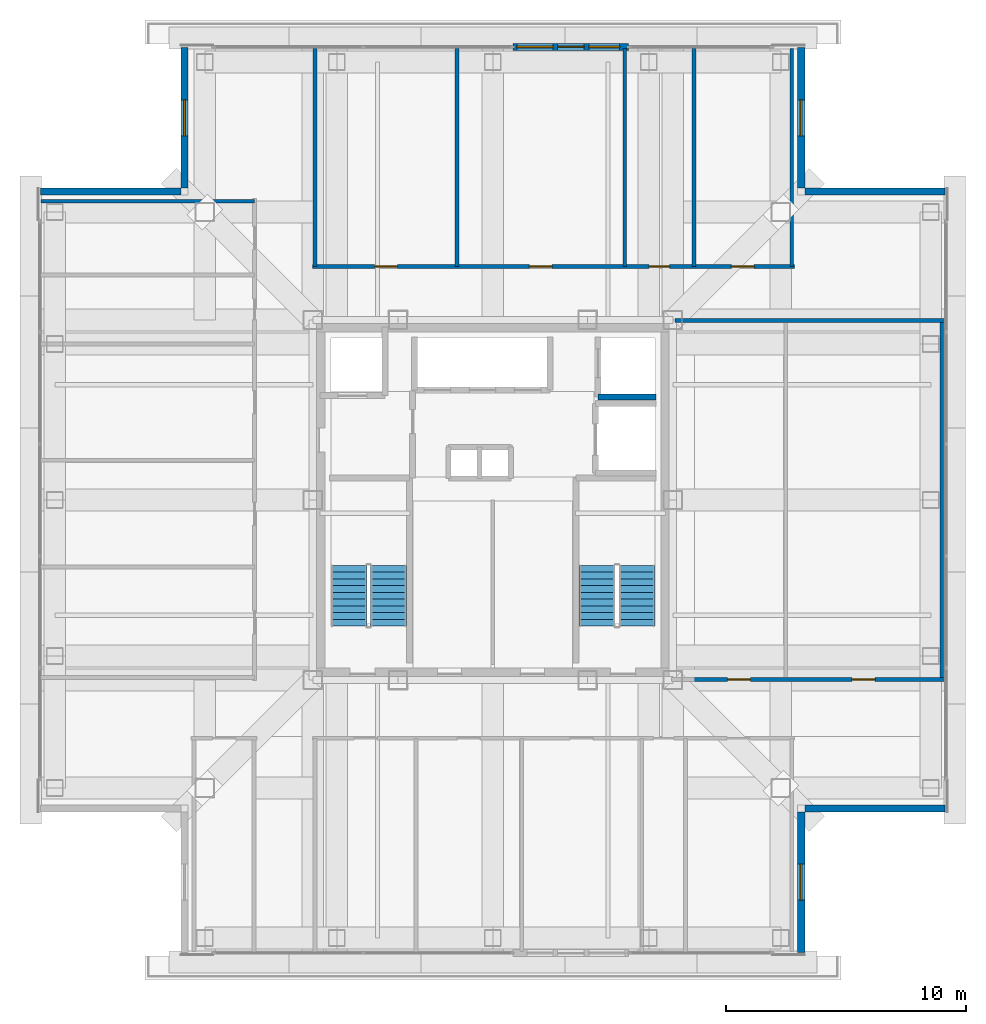
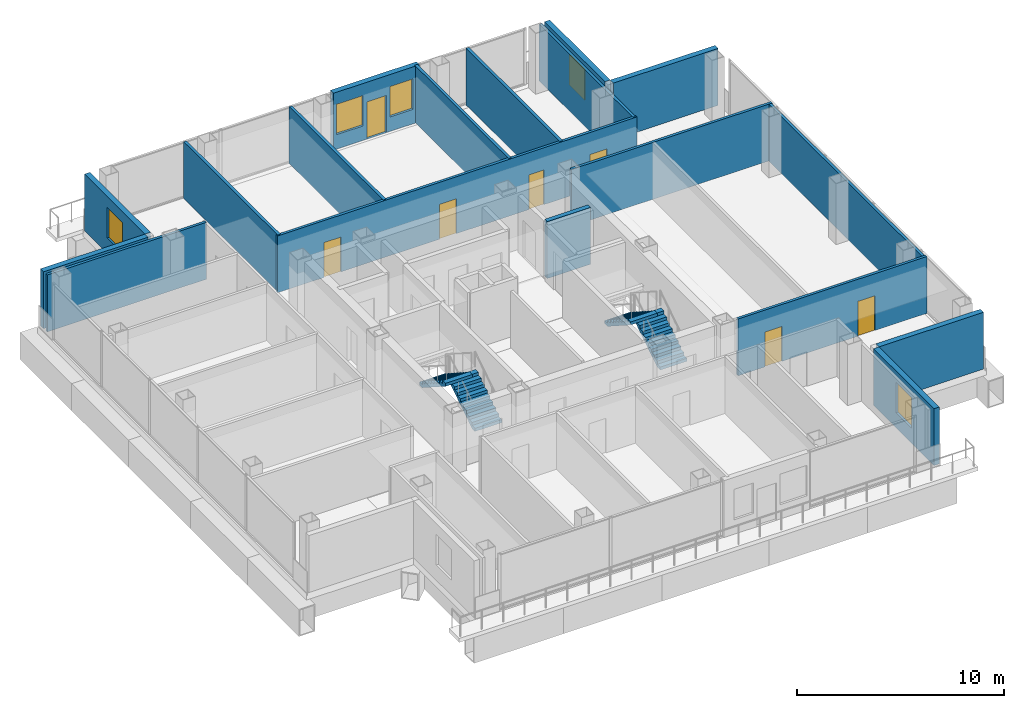
# One storey, part 9 of 15: 18 walls, 7 doors, 5 windows, 4 stair flights, 12 openings, 2 elements without a shape of their own.
"""IFC4 building model written with IfcOpenShell, lengths in metres."""

from ifc_helpers import new_model, si_unit, direction, frame, frame_2d, origin, place, context, subcontext, project, spatial, polyline, rectangle, outline, extrude, material, layer, layer_set, type_object, element, fill, aggregate, save


model = new_model("IFC4")

# Units and contexts
model_context = context("Model", 3, precision=1e-05, world=origin(), true_north=direction((0.0, 1.0)))
body_context = subcontext(model_context, "Body", "Model", "MODEL_VIEW")
ifc_project = project(units=[si_unit("LENGTHUNIT", "METRE"), si_unit("AREAUNIT", "SQUARE_METRE"), si_unit("VOLUMEUNIT", "CUBIC_METRE"), si_unit("PLANEANGLEUNIT", "RADIAN"), si_unit("MASSUNIT", "GRAM", prefix="KILO")], contexts=[model_context])

# Site, building, storey
site_placement = place(None, origin())
site = spatial("IfcSite", under=ifc_project, at=site_placement, CompositionType="ELEMENT")
building_placement = place(site_placement, origin())
building = spatial("IfcBuilding", under=site, at=building_placement, Name="Trevonay Congress Spire", CompositionType="ELEMENT")
storey_placement = place(building_placement, frame((0.0, 0.0, 232.39990234375)))
storey = spatial("IfcBuildingStorey", under=building, at=storey_placement, Name="L60", CompositionType="ELEMENT", Elevation=232.39990234375)

# Wall, openings, doors
ifc_material_1 = material(Name="Concrete C40/50", Category="concrete")
ifc_layer_1 = layer(ifc_material_1, 0.14990234375, Name="Concrete C40/50")
ifc_layer_set_1 = layer_set([ifc_layer_1], Name="Concrete C40/50")
wall_type_1 = type_object("IfcWallType", Name="WAL-CORR-150", PredefinedType="PARTITIONING", material=ifc_layer_set_1)
wall_1_placement = place(storey_placement, frame((-7.52001953125, 9.72998046875, 0.0), z_axis=(0.0, 0.0, 1.0), x_axis=(1.0, 0.0, 0.0)))
wall_1 = element("IfcWall", 1, at=wall_1_placement, inside=storey, type_object=wall_type_1, Name="L60 interior wall WP-L60N-COR", PredefinedType="PARTITIONING", context=body_context, shape_type="SweptSolid", body=[
    extrude(rectangle(XDim=20.090087890625, YDim=0.14990234375, at=frame_2d((10.044921875, 0.0))), origin(), (0.0, 0.0, 1.0), 3.360107421875),
])
opening_1_placement = place(wall_1_placement, frame((2.594970703125, 0.0, 0.0)))
opening_1 = element("IfcOpeningElement", 2, at=opening_1_placement, cuts=wall_1, Name="Opening D07", PredefinedType="OPENING", context=body_context, shape_type="SweptSolid", body=[
    extrude(rectangle(XDim=0.949951171875, YDim=2.06005859375, at=frame_2d((0.47509765625, 1.030029296875))), frame((0.0, 0.0849609375, 0.0), z_axis=(0.0, -1.0, 0.0), x_axis=(1.0, 0.0, 0.0)), (0.0, 0.0, 1.0), 0.169921875),
])
opening_2_placement = place(wall_1_placement, frame((9.044921875, 0.0, 0.0)))
opening_2 = element("IfcOpeningElement", 3, at=opening_2_placement, cuts=wall_1, Name="Opening D07", PredefinedType="OPENING", context=body_context, shape_type="SweptSolid", body=[
    extrude(rectangle(XDim=0.949951171875, YDim=2.06005859375, at=frame_2d((0.47509765625, 1.030029296875))), frame((0.0, 0.0849609375, 0.0), z_axis=(0.0, -1.0, 0.0), x_axis=(1.0, 0.0, 0.0)), (0.0, 0.0, 1.0), 0.169921875),
])
opening_3_placement = place(wall_1_placement, frame((14.034912109375, 0.0, 0.0)))
opening_3 = element("IfcOpeningElement", 4, at=opening_3_placement, cuts=wall_1, Name="Opening D10", PredefinedType="OPENING", context=body_context, shape_type="SweptSolid", body=[
    extrude(rectangle(XDim=0.85009765625, YDim=2.050048828125, at=frame_2d((0.425048828125, 1.02490234375))), frame((0.0, 0.0849609375, 0.0), z_axis=(0.0, -1.0, 0.0), x_axis=(1.0, 0.0, 0.0)), (0.0, 0.0, 1.0), 0.169921875),
])
opening_4_placement = place(wall_1_placement, frame((17.4599609375, 0.0, 0.0)))
opening_4 = element("IfcOpeningElement", 5, at=opening_4_placement, cuts=wall_1, Name="Opening D07", PredefinedType="OPENING", context=body_context, shape_type="SweptSolid", body=[
    extrude(rectangle(XDim=0.949951171875, YDim=2.06005859375, at=frame_2d((0.47509765625, 1.030029296875))), frame((0.0, 0.0849609375, 0.0), z_axis=(0.0, -1.0, 0.0), x_axis=(1.0, 0.0, 0.0)), (0.0, 0.0, 1.0), 0.169921875),
])
ifc_material_2 = material(Name="Pale Anodised Aluminium EN AW-6063-T6", Category="aluminium")
door_type_1 = type_object("IfcDoorType", Name="DOR-OFFICE-95", OperationType="NOTDEFINED", PredefinedType="DOOR", material=ifc_material_2)
door_1_placement = place(opening_1_placement, origin())
door_1 = element("IfcDoor", 6, at=door_1_placement, inside=storey, type_object=door_type_1, Name="L60 Defense Attache Office Door", OperationType="SINGLE_SWING_LEFT", OverallHeight=2.06005859375, OverallWidth=0.949951171875, PredefinedType="DOOR", context=body_context, shape_type="SweptSolid", body=[
    extrude(rectangle(XDim=0.949951171875, YDim=2.06005859375, at=frame_2d((0.47509765625, 1.030029296875))), frame((0.0, 0.02490234375, 0.0), z_axis=(0.0, -1.0, 0.0), x_axis=(1.0, 0.0, 0.0)), (0.0, 0.0, 1.0), 0.050048828125),
])
fill(opening_1, door_1)
door_2_placement = place(opening_2_placement, origin())
door_2 = element("IfcDoor", 7, at=door_2_placement, inside=storey, type_object=door_type_1, Name="L60 Trade Attache Office Door", OperationType="SINGLE_SWING_RIGHT", OverallHeight=2.06005859375, OverallWidth=0.949951171875, PredefinedType="DOOR", context=body_context, shape_type="SweptSolid", body=[
    extrude(rectangle(XDim=0.949951171875, YDim=2.06005859375, at=frame_2d((0.47509765625, 1.030029296875))), frame((0.0, 0.02490234375, 0.0), z_axis=(0.0, -1.0, 0.0), x_axis=(1.0, 0.0, 0.0)), (0.0, 0.0, 1.0), 0.050048828125),
])
fill(opening_2, door_2)
door_3_placement = place(opening_4_placement, origin())
door_3 = element("IfcDoor", 8, at=door_3_placement, inside=storey, type_object=door_type_1, Name="L60 Floor Supplies and Copy Room Door", OperationType="SINGLE_SWING_RIGHT", OverallHeight=2.06005859375, OverallWidth=0.949951171875, PredefinedType="DOOR", context=body_context, shape_type="SweptSolid", body=[
    extrude(rectangle(XDim=0.949951171875, YDim=2.06005859375, at=frame_2d((0.47509765625, 1.030029296875))), frame((0.0, 0.02490234375, 0.0), z_axis=(0.0, -1.0, 0.0), x_axis=(1.0, 0.0, 0.0)), (0.0, 0.0, 1.0), 0.050048828125),
])
fill(opening_4, door_3)
door_type_2 = type_object("IfcDoorType", Name="DOR-WC-85", OperationType="NOTDEFINED", PredefinedType="DOOR", material=ifc_material_2)
door_4_placement = place(opening_3_placement, origin())
door_4 = element("IfcDoor", 9, at=door_4_placement, inside=storey, type_object=door_type_2, Name="L60 Female Restroom WC Door", OperationType="SINGLE_SWING_LEFT", OverallHeight=2.050048828125, OverallWidth=0.85009765625, PredefinedType="DOOR", context=body_context, shape_type="SweptSolid", body=[
    extrude(rectangle(XDim=0.85009765625, YDim=2.050048828125, at=frame_2d((0.425048828125, 1.02490234375))), frame((0.0, 0.02490234375, 0.0), z_axis=(0.0, -1.0, 0.0), x_axis=(1.0, 0.0, 0.0)), (0.0, 0.0, 1.0), 0.050048828125),
])
fill(opening_3, door_4)

wall_2_placement = place(storey_placement, frame((8.280029296875, -7.47998046875, 0.0), z_axis=(0.0, 0.0, 1.0), x_axis=(1.0, 0.0, 0.0)))
wall_2 = element("IfcWall", 10, at=wall_2_placement, inside=storey, type_object=wall_type_1, Name="L60 interior wall WP-L60E-COR", PredefinedType="PARTITIONING", context=body_context, shape_type="SweptSolid", body=[
    extrude(rectangle(XDim=10.5400390625, YDim=0.14990234375, at=frame_2d((5.27001953125, 0.0))), origin(), (0.0, 0.0, 1.0), 3.360107421875),
])
opening_5_placement = place(wall_2_placement, frame((1.5048828125, 0.0, 0.0)))
opening_5 = element("IfcOpeningElement", 11, at=opening_5_placement, cuts=wall_2, Name="Opening D07", PredefinedType="OPENING", context=body_context, shape_type="SweptSolid", body=[
    extrude(rectangle(XDim=0.949951171875, YDim=2.06005859375, at=frame_2d((0.47509765625, 1.030029296875))), frame((0.0, 0.0849609375, 0.0), z_axis=(0.0, -1.0, 0.0), x_axis=(1.0, 0.0, 0.0)), (0.0, 0.0, 1.0), 0.169921875),
])
opening_6_placement = place(wall_2_placement, frame((6.695068359375, 0.0, 0.0)))
opening_6 = element("IfcOpeningElement", 12, at=opening_6_placement, cuts=wall_2, Name="Opening D07", PredefinedType="OPENING", context=body_context, shape_type="SweptSolid", body=[
    extrude(rectangle(XDim=0.949951171875, YDim=2.06005859375, at=frame_2d((0.47509765625, 1.030029296875))), frame((0.0, 0.0849609375, 0.0), z_axis=(0.0, -1.0, 0.0), x_axis=(1.0, 0.0, 0.0)), (0.0, 0.0, 1.0), 0.169921875),
])
door_5_placement = place(opening_5_placement, origin())
door_5 = element("IfcDoor", 13, at=door_5_placement, inside=storey, type_object=door_type_1, Name="L60 Chancery Tea Pantry Door", OperationType="SINGLE_SWING_LEFT", OverallHeight=2.06005859375, OverallWidth=0.949951171875, PredefinedType="DOOR", context=body_context, shape_type="SweptSolid", body=[
    extrude(rectangle(XDim=0.949951171875, YDim=2.06005859375, at=frame_2d((0.47509765625, 1.030029296875))), frame((0.0, 0.02490234375, 0.0), z_axis=(0.0, -1.0, 0.0), x_axis=(1.0, 0.0, 0.0)), (0.0, 0.0, 1.0), 0.050048828125),
])
fill(opening_5, door_5)
door_6_placement = place(opening_6_placement, origin())
door_6 = element("IfcDoor", 14, at=door_6_placement, inside=storey, type_object=door_type_1, Name="L60 Diplomatic Pouch Store Door", OperationType="SINGLE_SWING_RIGHT", OverallHeight=2.06005859375, OverallWidth=0.949951171875, PredefinedType="DOOR", context=body_context, shape_type="SweptSolid", body=[
    extrude(rectangle(XDim=0.949951171875, YDim=2.06005859375, at=frame_2d((0.47509765625, 1.030029296875))), frame((0.0, 0.02490234375, 0.0), z_axis=(0.0, -1.0, 0.0), x_axis=(1.0, 0.0, 0.0)), (0.0, 0.0, 1.0), 0.050048828125),
])
fill(opening_6, door_6)

# Wall, openings, door, windows
ifc_material_3 = material(Name="Precast concrete C40/50", Category="concrete")
ifc_layer_2 = layer(ifc_material_3, 0.300048828125, Name="Precast concrete C40/50")
ifc_layer_set_2 = layer_set([ifc_layer_2], Name="Precast concrete C40/50")
wall_type_2 = type_object("IfcWallType", Name="WAL-EXT-PRECAST-300", PredefinedType="SOLIDWALL", material=ifc_layer_set_2)
wall_3_placement = place(storey_placement, frame((0.85009765625, 18.8798828125, 0.0), z_axis=(0.0, 0.0, 1.0), x_axis=(1.0, 0.0, 0.0)))
wall_3 = element("IfcWall", 15, at=wall_3_placement, inside=storey, type_object=wall_type_2, Name="L60 N glazed balcony portal exterior wall", PredefinedType="SOLIDWALL", context=body_context, shape_type="SweptSolid", body=[
    extrude(rectangle(XDim=4.7998046875, YDim=0.300048828125, at=frame_2d((2.39990234375, 0.0))), origin(), (0.0, 0.0, 1.0), 3.360107421875),
])
opening_7_placement = place(wall_3_placement, frame((1.85009765625, 0.0, 0.0)))
opening_7 = element("IfcOpeningElement", 16, at=opening_7_placement, cuts=wall_3, Name="Opening D03", PredefinedType="OPENING", context=body_context, shape_type="SweptSolid", body=[
    extrude(rectangle(XDim=1.10009765625, YDim=2.199951171875, at=frame_2d((0.550048828125, 1.10009765625))), frame((0.0, 0.16015625, 0.0), z_axis=(0.0, -1.0, 0.0), x_axis=(1.0, 0.0, 0.0)), (0.0, 0.0, 1.0), 0.320068359375),
])
opening_8_placement = place(wall_3_placement, frame((0.14990234375, 0.0, 0.85009765625)))
opening_8 = element("IfcOpeningElement", 17, at=opening_8_placement, cuts=wall_3, Name="Opening WN03", PredefinedType="OPENING", context=body_context, shape_type="SweptSolid", body=[
    extrude(rectangle(XDim=1.5, YDim=1.800048828125, at=frame_2d((0.75, 0.89990234375))), frame((0.0, 0.16015625, 0.0), z_axis=(0.0, -1.0, 0.0), x_axis=(1.0, 0.0, 0.0)), (0.0, 0.0, 1.0), 0.320068359375),
])
opening_9_placement = place(wall_3_placement, frame((3.14990234375, 0.0, 0.85009765625)))
opening_9 = element("IfcOpeningElement", 18, at=opening_9_placement, cuts=wall_3, Name="Opening WN10", PredefinedType="OPENING", context=body_context, shape_type="SweptSolid", body=[
    extrude(rectangle(XDim=1.280029296875, YDim=1.800048828125, at=frame_2d((0.64013671875, 0.89990234375))), frame((0.0, 0.16015625, 0.0), z_axis=(0.0, -1.0, 0.0), x_axis=(1.0, 0.0, 0.0)), (0.0, 0.0, 1.0), 0.320068359375),
])
door_type_3 = type_object("IfcDoorType", Name="DOR-EXT-BAL-110", OperationType="NOTDEFINED", PredefinedType="DOOR", material=ifc_material_2)
door_7_placement = place(opening_7_placement, origin())
door_7 = element("IfcDoor", 19, at=door_7_placement, inside=storey, type_object=door_type_3, Name="L60 N glazed outdoor terrace and balcony door", OperationType="SINGLE_SWING_RIGHT", OverallHeight=2.199951171875, OverallWidth=1.10009765625, PredefinedType="DOOR", context=body_context, shape_type="SweptSolid", body=[
    extrude(rectangle(XDim=1.10009765625, YDim=2.199951171875, at=frame_2d((0.550048828125, 1.10009765625))), frame((0.0, 0.02490234375, 0.0), z_axis=(0.0, -1.0, 0.0), x_axis=(1.0, 0.0, 0.0)), (0.0, 0.0, 1.0), 0.050048828125),
])
fill(opening_7, door_7)
ifc_material_4 = material(Name="Insulated Low-E Vision Glass IGU", Category="glass")
window_type_1 = type_object("IfcWindowType", Name="WIN-NOTCH-150X180", PartitioningType="SINGLE_PANEL", PredefinedType="WINDOW", material=ifc_material_4)
window_1_placement = place(opening_8_placement, origin())
window_1 = element("IfcWindow", 20, at=window_1_placement, inside=storey, type_object=window_type_1, Name="L60 N balcony sidelight window L", OverallHeight=1.800048828125, OverallWidth=1.5, PartitioningType="SINGLE_PANEL", PredefinedType="WINDOW", context=body_context, shape_type="SweptSolid", body=[
    extrude(rectangle(XDim=1.5, YDim=1.800048828125, at=frame_2d((0.75, 0.89990234375))), frame((0.0, 0.030029296875, 0.0), z_axis=(0.0, -1.0, 0.0), x_axis=(1.0, 0.0, 0.0)), (0.0, 0.0, 1.0), 0.06005859375),
])
fill(opening_8, window_1)
window_type_2 = type_object("IfcWindowType", Name="WIN-SIDELIGHT-128X180", PartitioningType="SINGLE_PANEL", PredefinedType="WINDOW", material=ifc_material_4)
window_2_placement = place(opening_9_placement, origin())
window_2 = element("IfcWindow", 21, at=window_2_placement, inside=storey, type_object=window_type_2, Name="L60 N balcony sidelight window R", OverallHeight=1.800048828125, OverallWidth=1.280029296875, PartitioningType="SINGLE_PANEL", PredefinedType="WINDOW", context=body_context, shape_type="SweptSolid", body=[
    extrude(rectangle(XDim=1.280029296875, YDim=1.800048828125, at=frame_2d((0.64013671875, 0.89990234375))), frame((0.0, 0.030029296875, 0.0), z_axis=(0.0, -1.0, 0.0), x_axis=(1.0, 0.0, 0.0)), (0.0, 0.0, 1.0), 0.06005859375),
])
fill(opening_9, window_2)

# Wall, opening, window
wall_4_placement = place(storey_placement, frame((12.85009765625, -18.85009765625, 0.0), z_axis=(0.0, 0.0, 1.0), x_axis=(0.0, 1.0, 0.0)))
wall_4 = element("IfcWall", 22, at=wall_4_placement, inside=storey, type_object=wall_type_2, Name="L60 SE re-entrant notch exterior wall 1", PredefinedType="SOLIDWALL", context=body_context, shape_type="SweptSolid", body=[
    extrude(rectangle(XDim=5.85009765625, YDim=0.300048828125, at=frame_2d((2.925048828125, 0.0))), origin(), (0.0, 0.0, 1.0), 3.360107421875),
])
opening_10_placement = place(wall_4_placement, frame((2.175048828125, 0.0, 0.89990234375)))
opening_10 = element("IfcOpeningElement", 23, at=opening_10_placement, cuts=wall_4, Name="Opening WN03", PredefinedType="OPENING", context=body_context, shape_type="SweptSolid", body=[
    extrude(rectangle(XDim=1.5, YDim=1.800048828125, at=frame_2d((0.75, 0.89990234375))), frame((0.0, 0.16015625, 0.0), z_axis=(0.0, -1.0, 0.0), x_axis=(1.0, 0.0, 0.0)), (0.0, 0.0, 1.0), 0.320068359375),
])
window_3_placement = place(opening_10_placement, origin())
window_3 = element("IfcWindow", 24, at=window_3_placement, inside=storey, type_object=window_type_1, Name="L60 SE corner notch window", OverallHeight=1.800048828125, OverallWidth=1.5, PartitioningType="SINGLE_PANEL", PredefinedType="WINDOW", context=body_context, shape_type="SweptSolid", body=[
    extrude(rectangle(XDim=1.5, YDim=1.800048828125, at=frame_2d((0.75, 0.89990234375))), frame((0.0, 0.030029296875, 0.0), z_axis=(0.0, -1.0, 0.0), x_axis=(1.0, 0.0, 0.0)), (0.0, 0.0, 1.0), 0.06005859375),
])
fill(opening_10, window_3)

# Wall
wall_5_placement = place(storey_placement, frame((18.85009765625, -12.85009765625, 0.0), z_axis=(0.0, 0.0, 1.0), x_axis=(-1.0, 0.0, 0.0)))
element("IfcWall", 25, at=wall_5_placement, inside=storey, type_object=wall_type_2, Name="L60 SE re-entrant notch exterior wall 2", PredefinedType="SOLIDWALL", context=body_context, shape_type="SweptSolid", body=[
    extrude(rectangle(XDim=5.85009765625, YDim=0.300048828125, at=frame_2d((2.925048828125, 0.0))), origin(), (0.0, 0.0, 1.0), 3.360107421875),
])

# Wall, opening, window
wall_6_placement = place(storey_placement, frame((12.85009765625, 18.85009765625, 0.0), z_axis=(0.0, 0.0, 1.0), x_axis=(0.0, -1.0, 0.0)))
wall_6 = element("IfcWall", 26, at=wall_6_placement, inside=storey, type_object=wall_type_2, Name="L60 NE re-entrant notch exterior wall 1", PredefinedType="SOLIDWALL", context=body_context, shape_type="SweptSolid", body=[
    extrude(rectangle(XDim=5.85009765625, YDim=0.300048828125, at=frame_2d((2.925048828125, 0.0))), origin(), (0.0, 0.0, 1.0), 3.360107421875),
])
opening_11_placement = place(wall_6_placement, frame((2.175048828125, 0.0, 0.89990234375)))
opening_11 = element("IfcOpeningElement", 27, at=opening_11_placement, cuts=wall_6, Name="Opening WN03", PredefinedType="OPENING", context=body_context, shape_type="SweptSolid", body=[
    extrude(rectangle(XDim=1.5, YDim=1.800048828125, at=frame_2d((0.75, 0.89990234375))), frame((0.0, 0.16015625, 0.0), z_axis=(0.0, -1.0, 0.0), x_axis=(1.0, 0.0, 0.0)), (0.0, 0.0, 1.0), 0.320068359375),
])
window_4_placement = place(opening_11_placement, origin())
window_4 = element("IfcWindow", 28, at=window_4_placement, inside=storey, type_object=window_type_1, Name="L60 NE corner notch window", OverallHeight=1.800048828125, OverallWidth=1.5, PartitioningType="SINGLE_PANEL", PredefinedType="WINDOW", context=body_context, shape_type="SweptSolid", body=[
    extrude(rectangle(XDim=1.5, YDim=1.800048828125, at=frame_2d((0.75, 0.89990234375))), frame((0.0, 0.030029296875, 0.0), z_axis=(0.0, -1.0, 0.0), x_axis=(1.0, 0.0, 0.0)), (0.0, 0.0, 1.0), 0.06005859375),
])
fill(opening_11, window_4)

# Wall
wall_7_placement = place(storey_placement, frame((18.85009765625, 12.85009765625, 0.0), z_axis=(0.0, 0.0, 1.0), x_axis=(-1.0, 0.0, 0.0)))
element("IfcWall", 29, at=wall_7_placement, inside=storey, type_object=wall_type_2, Name="L60 NE re-entrant notch exterior wall 2", PredefinedType="SOLIDWALL", context=body_context, shape_type="SweptSolid", body=[
    extrude(rectangle(XDim=5.85009765625, YDim=0.300048828125, at=frame_2d((2.925048828125, 0.0))), origin(), (0.0, 0.0, 1.0), 3.360107421875),
])

# Wall, opening, window
wall_8_placement = place(storey_placement, frame((-12.85009765625, 18.85009765625, 0.0), z_axis=(0.0, 0.0, 1.0), x_axis=(0.0, -1.0, 0.0)))
wall_8 = element("IfcWall", 30, at=wall_8_placement, inside=storey, type_object=wall_type_2, Name="L60 NW re-entrant notch exterior wall 1", PredefinedType="SOLIDWALL", context=body_context, shape_type="SweptSolid", body=[
    extrude(rectangle(XDim=5.85009765625, YDim=0.300048828125, at=frame_2d((2.925048828125, 0.0))), origin(), (0.0, 0.0, 1.0), 3.360107421875),
])
opening_12_placement = place(wall_8_placement, frame((2.175048828125, 0.0, 0.89990234375)))
opening_12 = element("IfcOpeningElement", 31, at=opening_12_placement, cuts=wall_8, Name="Opening WN03", PredefinedType="OPENING", context=body_context, shape_type="SweptSolid", body=[
    extrude(rectangle(XDim=1.5, YDim=1.800048828125, at=frame_2d((0.75, 0.89990234375))), frame((0.0, 0.16015625, 0.0), z_axis=(0.0, -1.0, 0.0), x_axis=(1.0, 0.0, 0.0)), (0.0, 0.0, 1.0), 0.320068359375),
])
window_5_placement = place(opening_12_placement, origin())
window_5 = element("IfcWindow", 32, at=window_5_placement, inside=storey, type_object=window_type_1, Name="L60 NW corner notch window", OverallHeight=1.800048828125, OverallWidth=1.5, PartitioningType="SINGLE_PANEL", PredefinedType="WINDOW", context=body_context, shape_type="SweptSolid", body=[
    extrude(rectangle(XDim=1.5, YDim=1.800048828125, at=frame_2d((0.75, 0.89990234375))), frame((0.0, 0.030029296875, 0.0), z_axis=(0.0, -1.0, 0.0), x_axis=(1.0, 0.0, 0.0)), (0.0, 0.0, 1.0), 0.06005859375),
])
fill(opening_12, window_5)

# Walls
wall_9_placement = place(storey_placement, frame((-18.85009765625, 12.85009765625, 0.0), z_axis=(0.0, 0.0, 1.0), x_axis=(1.0, 0.0, 0.0)))
element("IfcWall", 33, at=wall_9_placement, inside=storey, type_object=wall_type_2, Name="L60 NW re-entrant notch exterior wall 2", PredefinedType="SOLIDWALL", context=body_context, shape_type="SweptSolid", body=[
    extrude(rectangle(XDim=5.85009765625, YDim=0.300048828125, at=frame_2d((2.925048828125, 0.0))), origin(), (0.0, 0.0, 1.0), 3.360107421875),
])
ifc_layer_3 = layer(ifc_material_1, 0.14990234375, Name="Concrete C40/50")
ifc_layer_set_3 = layer_set([ifc_layer_3], Name="Concrete C40/50")
wall_type_3 = type_object("IfcWallType", Name="WAL-PART-150", PredefinedType="PARTITIONING", material=ifc_layer_set_3)
wall_10_placement = place(storey_placement, frame((-18.820068359375, 12.449951171875, 0.0), z_axis=(0.0, 0.0, 1.0), x_axis=(1.0, 0.0, 0.0)))
element("IfcWall", 34, at=wall_10_placement, inside=storey, type_object=wall_type_3, Name="L60 interior wall WP-L60NW-DIV5", PredefinedType="PARTITIONING", context=body_context, shape_type="SweptSolid", body=[
    extrude(rectangle(XDim=8.89013671875, YDim=0.14990234375, at=frame_2d((4.445068359375, 0.0))), origin(), (0.0, 0.0, 1.0), 3.360107421875),
])
for number, where, z_axis, x_axis, name in (
    (35, (5.5, 9.72998046875, 0.0), (0.0, 0.0, 1.0), (0.0, 1.0, 0.0), "L60 interior wall WP-L60N-DIV3"),
    (36, (12.449951171875, 9.72998046875, 0.0), (0.0, 0.0, 1.0), (0.0, 1.0, 0.0), "L60 interior wall WP-L60N-DIV4"),
):
    element("IfcWall", number, at=place(storey_placement, frame(where, z_axis=z_axis, x_axis=x_axis)), inside=storey, type_object=wall_type_3, Name=name, PredefinedType="PARTITIONING", context=body_context, shape_type="SweptSolid", body=[
        extrude(rectangle(XDim=9.090087890625, YDim=0.14990234375, at=frame_2d((4.544921875, 0.0))), origin(), (0.0, 0.0, 1.0), 3.360107421875),
    ])
wall_11_placement = place(storey_placement, frame((18.699951171875, -7.47998046875, 0.0), z_axis=(0.0, 0.0, 1.0), x_axis=(0.0, 1.0, 0.0)))
element("IfcWall", 37, at=wall_11_placement, inside=storey, type_object=wall_type_3, Name="L60 interior wall WP-L60E-DIV2", PredefinedType="PARTITIONING", context=body_context, shape_type="SweptSolid", body=[
    extrude(rectangle(XDim=14.89990234375, YDim=0.14990234375, at=frame_2d((7.449951171875, 0.0))), origin(), (0.0, 0.0, 1.0), 3.360107421875),
])
wall_12_placement = place(storey_placement, frame((7.60009765625, 7.47998046875, 0.0), z_axis=(0.0, 0.0, 1.0), x_axis=(1.0, 0.0, 0.0)))
element("IfcWall", 38, at=wall_12_placement, inside=storey, type_object=wall_type_3, Name="L60 interior wall WP-L60E-NCLS", PredefinedType="PARTITIONING", context=body_context, shape_type="SweptSolid", body=[
    extrude(rectangle(XDim=11.219970703125, YDim=0.14990234375, at=frame_2d((5.60986328125, 0.0))), origin(), (0.0, 0.0, 1.0), 3.360107421875),
])
ifc_layer_4 = layer(ifc_material_1, 0.25, Name="Concrete C40/50")
ifc_layer_set_4 = layer_set([ifc_layer_4], Name="Concrete C40/50")
wall_type_4 = type_object("IfcWallType", Name="WAL-SHAFT-250", PredefinedType="SHEAR", material=ifc_layer_set_4)
wall_13_placement = place(storey_placement, frame((4.3798828125, 4.300048828125, 0.0), z_axis=(0.0, 0.0, 1.0), x_axis=(1.0, 0.0, 0.0)))
element("IfcWall", 39, at=wall_13_placement, inside=storey, type_object=wall_type_4, Name="L60 interior shaft wall WSH-L60-FF2-S", PredefinedType="SHEAR", context=body_context, shape_type="SweptSolid", body=[
    extrude(rectangle(XDim=2.420166015625, YDim=0.25, at=frame_2d((1.2099609375, 0.0))), origin(), (0.0, 0.0, 1.0), 3.360107421875),
])
ifc_layer_5 = layer(ifc_material_1, 0.1650390625, Name="Concrete C40/50")
ifc_layer_set_5 = layer_set([ifc_layer_5], Name="Concrete C40/50")
wall_type_5 = type_object("IfcWallType", Name="WAL-WET-165", PredefinedType="PLUMBINGWALL", material=ifc_layer_set_5)
for number, where, z_axis, x_axis, name in (
    (40, (8.3798828125, 9.72998046875, 0.0), (0.0, 0.0, 1.0), (0.0, 1.0, 0.0), "L60 interior wall WP-L60N-WCS3"),
    (41, (-7.39990234375, 9.72998046875, 0.0), (0.0, 0.0, 1.0), (0.0, 1.0, 0.0), "L60 interior wall WP-L60N-DIV1"),
    (42, (-1.5, 9.72998046875, 0.0), (0.0, 0.0, 1.0), (0.0, 1.0, 0.0), "L60 interior wall WP-L60N-DIV2"),
):
    element("IfcWall", number, at=place(storey_placement, frame(where, z_axis=z_axis, x_axis=x_axis)), inside=storey, type_object=wall_type_5, Name=name, PredefinedType="PLUMBINGWALL", context=body_context, shape_type="SweptSolid", body=[
        extrude(rectangle(XDim=9.090087890625, YDim=0.1650390625, at=frame_2d((4.544921875, 0.0))), origin(), (0.0, 0.0, 1.0), 3.360107421875),
    ])

# Stair, stair flights
stair_type_1 = type_object("IfcStairType", Name="STR-ST-1", PredefinedType="HALF_TURN_STAIR", material=ifc_material_1)
stair_1_placement = place(storey_placement, origin())
stair_1 = element("IfcStair", 43, at=stair_1_placement, inside=storey, type_object=stair_type_1, Name="L60 Protected Exit Stair ST-1", PredefinedType="HALF_TURN_STAIR")
stair_flight_type_1 = type_object("IfcStairFlightType", Name="SFL-ST-1", PredefinedType="STRAIGHT", material=ifc_material_1)
stair_flight_1_placement = place(storey_placement, frame((-4.35009765625, -5.25, 0.0), z_axis=(0.0, 0.0, 1.0), x_axis=(0.0, 1.0, 0.0)))
stair_flight_1 = element("IfcStairFlight", 44, at=stair_flight_1_placement, type_object=stair_flight_type_1, Name="ST-1 flight 1", NumberOfRisers=10, NumberOfTreads=9, PredefinedType="STRAIGHT", RiserHeight=0.18, TreadLength=0.28, context=body_context, shape_type="SweptSolid", body=[
    extrude(outline(polyline([(0.0, 0.0), (0.0, 0.179931640625), (0.280029296875, 0.179931640625), (0.280029296875, 0.360107421875), (0.56005859375, 0.360107421875), (0.56005859375, 0.5400390625), (0.840087890625, 0.5400390625), (0.840087890625, 0.719970703125), (1.1201171875, 0.719970703125), (1.1201171875, 0.89990234375), (1.39990234375, 0.89990234375), (1.39990234375, 1.080078125), (1.679931640625, 1.080078125), (1.679931640625, 1.260009765625), (1.9599609375, 1.260009765625), (1.9599609375, 1.43994140625), (2.239990234375, 1.43994140625), (2.239990234375, 1.6201171875), (2.52001953125, 1.6201171875), (2.52001953125, 1.800048828125), (2.52001953125, 1.44189453125), (0.277099609375, 0.0), (0.0, 0.0)])), frame((0.0, 0.75, 0.0), z_axis=(0.0, -1.0, 0.0), x_axis=(1.0, 0.0, 0.0)), (0.0, 0.0, 1.0), 1.5),
])
stair_flight_2_placement = place(storey_placement, frame((-6.0, -2.72998046875, 1.800048828125), z_axis=(0.0, 0.0, 1.0), x_axis=(0.0, -1.0, 0.0)))
stair_flight_2 = element("IfcStairFlight", 45, at=stair_flight_2_placement, type_object=stair_flight_type_1, Name="ST-1 flight 2", NumberOfRisers=10, NumberOfTreads=9, PredefinedType="STRAIGHT", RiserHeight=0.18, TreadLength=0.28, context=body_context, shape_type="SweptSolid", body=[
    extrude(outline(polyline([(0.0, 0.0), (0.0, 0.179931640625), (0.280029296875, 0.179931640625), (0.280029296875, 0.360107421875), (0.56005859375, 0.360107421875), (0.56005859375, 0.5400390625), (0.840087890625, 0.5400390625), (0.840087890625, 0.719970703125), (1.1201171875, 0.719970703125), (1.1201171875, 0.89990234375), (1.39990234375, 0.89990234375), (1.39990234375, 1.080078125), (1.679931640625, 1.080078125), (1.679931640625, 1.260009765625), (1.9599609375, 1.260009765625), (1.9599609375, 1.43994140625), (2.239990234375, 1.43994140625), (2.239990234375, 1.6201171875), (2.52001953125, 1.6201171875), (2.52001953125, 1.800048828125), (2.52001953125, 1.44189453125), (0.277099609375, 0.0), (0.0, 0.0)])), frame((0.0, 0.75, 0.0), z_axis=(0.0, -1.0, 0.0), x_axis=(1.0, 0.0, 0.0)), (0.0, 0.0, 1.0), 1.5),
])
aggregate(stair_1, [stair_flight_1, stair_flight_2])

stair_type_2 = type_object("IfcStairType", Name="STR-ST-2", PredefinedType="HALF_TURN_STAIR", material=ifc_material_1)
stair_2_placement = place(storey_placement, origin())
stair_2 = element("IfcStair", 46, at=stair_2_placement, inside=storey, type_object=stair_type_2, Name="L60 Protected Exit Stair ST-2", PredefinedType="HALF_TURN_STAIR")
stair_flight_type_2 = type_object("IfcStairFlightType", Name="SFL-ST-2", PredefinedType="STRAIGHT", material=ifc_material_1)
stair_flight_3_placement = place(storey_placement, frame((6.0, -5.25, 0.0), z_axis=(0.0, 0.0, 1.0), x_axis=(0.0, 1.0, 0.0)))
stair_flight_3 = element("IfcStairFlight", 47, at=stair_flight_3_placement, type_object=stair_flight_type_2, Name="ST-2 flight 1", NumberOfRisers=10, NumberOfTreads=9, PredefinedType="STRAIGHT", RiserHeight=0.18, TreadLength=0.28, context=body_context, shape_type="SweptSolid", body=[
    extrude(outline(polyline([(0.0, 0.0), (0.0, 0.179931640625), (0.280029296875, 0.179931640625), (0.280029296875, 0.360107421875), (0.56005859375, 0.360107421875), (0.56005859375, 0.5400390625), (0.840087890625, 0.5400390625), (0.840087890625, 0.719970703125), (1.1201171875, 0.719970703125), (1.1201171875, 0.89990234375), (1.39990234375, 0.89990234375), (1.39990234375, 1.080078125), (1.679931640625, 1.080078125), (1.679931640625, 1.260009765625), (1.9599609375, 1.260009765625), (1.9599609375, 1.43994140625), (2.239990234375, 1.43994140625), (2.239990234375, 1.6201171875), (2.52001953125, 1.6201171875), (2.52001953125, 1.800048828125), (2.52001953125, 1.44189453125), (0.277099609375, 0.0), (0.0, 0.0)])), frame((0.0, 0.75, 0.0), z_axis=(0.0, -1.0, 0.0), x_axis=(1.0, 0.0, 0.0)), (0.0, 0.0, 1.0), 1.5),
])
stair_flight_4_placement = place(storey_placement, frame((4.35009765625, -2.72998046875, 1.800048828125), z_axis=(0.0, 0.0, 1.0), x_axis=(0.0, -1.0, 0.0)))
stair_flight_4 = element("IfcStairFlight", 48, at=stair_flight_4_placement, type_object=stair_flight_type_2, Name="ST-2 flight 2", NumberOfRisers=10, NumberOfTreads=9, PredefinedType="STRAIGHT", RiserHeight=0.18, TreadLength=0.28, context=body_context, shape_type="SweptSolid", body=[
    extrude(outline(polyline([(0.0, 0.0), (0.0, 0.179931640625), (0.280029296875, 0.179931640625), (0.280029296875, 0.360107421875), (0.56005859375, 0.360107421875), (0.56005859375, 0.5400390625), (0.840087890625, 0.5400390625), (0.840087890625, 0.719970703125), (1.1201171875, 0.719970703125), (1.1201171875, 0.89990234375), (1.39990234375, 0.89990234375), (1.39990234375, 1.080078125), (1.679931640625, 1.080078125), (1.679931640625, 1.260009765625), (1.9599609375, 1.260009765625), (1.9599609375, 1.43994140625), (2.239990234375, 1.43994140625), (2.239990234375, 1.6201171875), (2.52001953125, 1.6201171875), (2.52001953125, 1.800048828125), (2.52001953125, 1.44189453125), (0.277099609375, 0.0), (0.0, 0.0)])), frame((0.0, 0.75, 0.0), z_axis=(0.0, -1.0, 0.0), x_axis=(1.0, 0.0, 0.0)), (0.0, 0.0, 1.0), 1.5),
])
aggregate(stair_2, [stair_flight_3, stair_flight_4])

save(model, "model.ifc")
